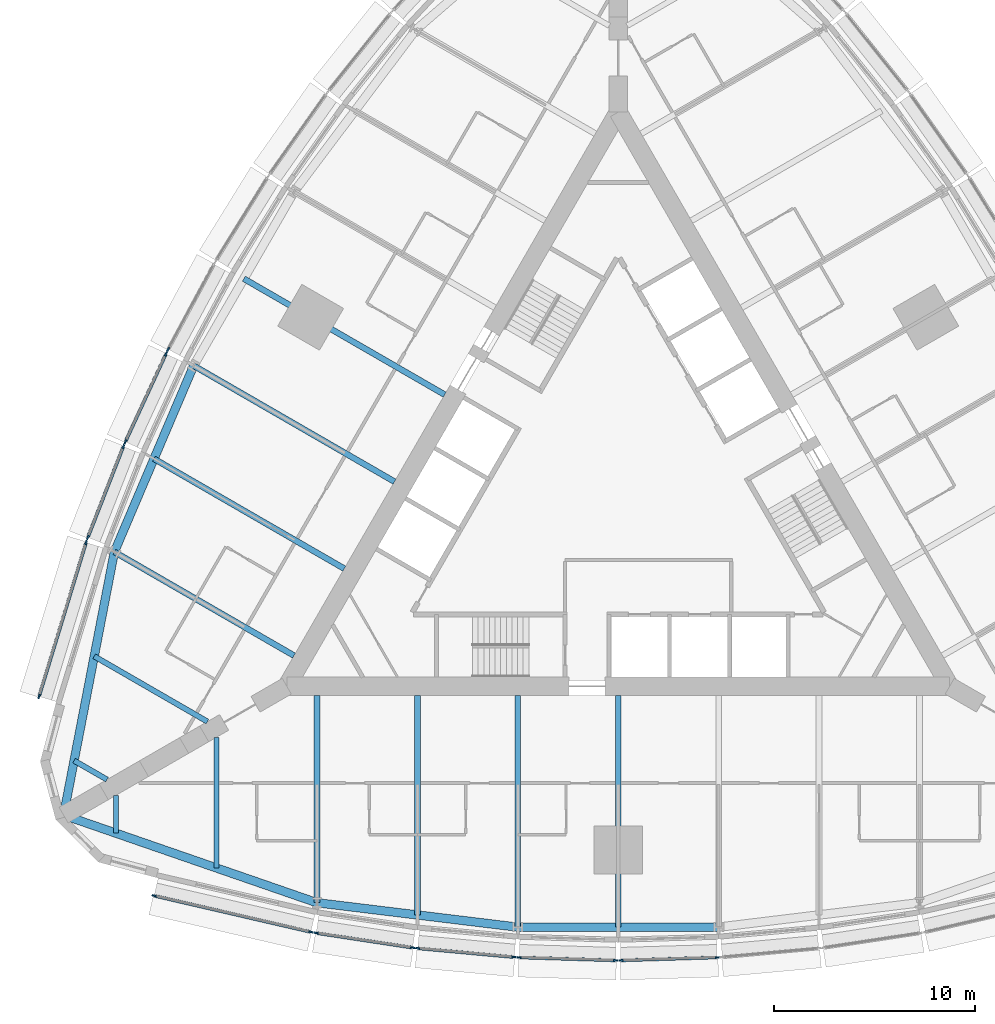
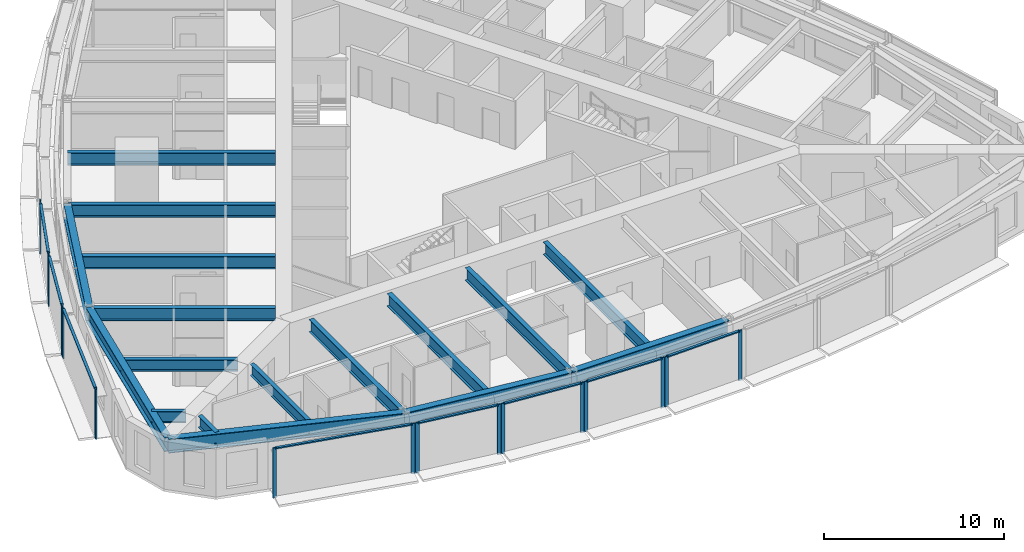
# One storey, part 2 of 14: 25 members, 17 beams, 9 elements without a shape of their own.
"""IFC4 building model written with IfcOpenShell, lengths in metres."""

from ifc_helpers import new_model, si_unit, direction, frame, origin, origin_2d, place, context, subcontext, project, spatial, rectangle, i_section, extrude, material, material_profile, profile_set, type_object, element, aggregate, save


model = new_model("IFC4")

# Units and contexts
model_context = context("Model", 3, precision=1e-05, world=origin(), true_north=direction((0.0, 1.0)))
body_context = subcontext(model_context, "Body", "Model", "MODEL_VIEW")
ifc_project = project(units=[si_unit("LENGTHUNIT", "METRE"), si_unit("AREAUNIT", "SQUARE_METRE"), si_unit("VOLUMEUNIT", "CUBIC_METRE"), si_unit("PLANEANGLEUNIT", "RADIAN"), si_unit("MASSUNIT", "GRAM", prefix="KILO")], contexts=[model_context])

# Site, building, storey
site_placement = place(None, origin())
site = spatial("IfcSite", under=ifc_project, at=site_placement, CompositionType="ELEMENT")
building_placement = place(site_placement, origin())
building = spatial("IfcBuilding", under=site, at=building_placement, Name="Trikona Tower", CompositionType="ELEMENT")
storey_placement = place(building_placement, frame((0.0, 0.0, 59.10009765625)))
storey = spatial("IfcBuildingStorey", under=building, at=storey_placement, Name="L14", CompositionType="ELEMENT", Elevation=59.10009765625)

# Curtain wall, members
ifc_material_1 = material(Name="Aluminium curtain wall system", Category="aluminium")
curtain_wall_type = type_object("IfcCurtainWallType", Name="Curtain wall DS1", PredefinedType="NOTDEFINED", material=ifc_material_1)
curtain_wall_1_placement = place(storey_placement, origin())
curtain_wall_1 = element("IfcCurtainWall", 1, at=curtain_wall_1_placement, inside=storey, type_object=curtain_wall_type, Name="Curtain wall DS1 L14", PredefinedType="NOTDEFINED")
ifc_material_2 = material(Name="Aluminium mullion, pale anodised", Category="aluminium")
ifc_material_profile_1 = material_profile(ifc_material_2, rectangle(XDim=0.080078125, YDim=0.219970703125, at=origin_2d()), Name="MUL-DS1")
ifc_profile_set_1 = profile_set([ifc_material_profile_1], Name="Aluminium mullion, pale anodised")
member_type_1 = type_object("IfcMemberType", Name="Mullion DS1 80x220", PredefinedType="MULLION", material=ifc_profile_set_1)
member_1_placement = place(storey_placement, frame((-23.10546875, -19.951904296875, 0.0), z_axis=(0.0, 0.0, 1.0), x_axis=(0.225343288756, 0.974279427173, 0.0)))
member_1 = element("IfcMember", 2, at=member_1_placement, type_object=member_type_1, Name="CW-DS1 mullion 1", PredefinedType="MULLION", context=body_context, shape_type="SweptSolid", body=[
    extrude(rectangle(XDim=0.080078125, YDim=0.219970703125, at=origin_2d()), origin(), (0.0, 0.0, 1.0), 3.39990234375),
])
member_2_placement = place(storey_placement, frame((-15.30029296875, -21.75732421875, 0.0), z_axis=(0.0, 0.0, 1.0), x_axis=(0.225343288756, 0.974279427173, 0.0)))
member_2 = element("IfcMember", 3, at=member_2_placement, type_object=member_type_1, Name="CW-DS1 mullion 2", PredefinedType="MULLION", context=body_context, shape_type="SweptSolid", body=[
    extrude(rectangle(XDim=0.080078125, YDim=0.219970703125, at=origin_2d()), origin(), (0.0, 0.0, 1.0), 3.39990234375),
])

curtain_wall_2_placement = place(storey_placement, origin())
curtain_wall_2 = element("IfcCurtainWall", 4, at=curtain_wall_2_placement, inside=storey, type_object=curtain_wall_type, Name="Curtain wall DS1 L14", PredefinedType="NOTDEFINED")
member_3_placement = place(storey_placement, frame((-15.03662109375, -21.807861328125, 0.0), z_axis=(0.0, 0.0, 1.0), x_axis=(0.150437693845, 0.988619492156, 0.0)))
member_3 = element("IfcMember", 5, at=member_3_placement, type_object=member_type_1, Name="CW-DS1 mullion 1", PredefinedType="MULLION", context=body_context, shape_type="SweptSolid", body=[
    extrude(rectangle(XDim=0.080078125, YDim=0.219970703125, at=origin_2d()), origin(), (0.0, 0.0, 1.0), 3.39990234375),
])
member_4_placement = place(storey_placement, frame((-10.234130859375, -22.53857421875, 0.0), z_axis=(0.0, 0.0, 1.0), x_axis=(0.150437693845, 0.988619492156, 0.0)))
member_4 = element("IfcMember", 6, at=member_4_placement, type_object=member_type_1, Name="CW-DS1 mullion 2", PredefinedType="MULLION", context=body_context, shape_type="SweptSolid", body=[
    extrude(rectangle(XDim=0.080078125, YDim=0.219970703125, at=origin_2d()), origin(), (0.0, 0.0, 1.0), 3.39990234375),
])

curtain_wall_3_placement = place(storey_placement, origin())
curtain_wall_3 = element("IfcCurtainWall", 7, at=curtain_wall_3_placement, inside=storey, type_object=curtain_wall_type, Name="Curtain wall DS1 L14", PredefinedType="NOTDEFINED")
member_5_placement = place(storey_placement, frame((-9.982177734375, -22.5693359375, 0.0), z_axis=(0.0, 0.0, 1.0), x_axis=(0.090923932737, 0.995857840485, 0.0)))
member_5 = element("IfcMember", 8, at=member_5_placement, type_object=member_type_1, Name="CW-DS1 mullion 1", PredefinedType="MULLION", context=body_context, shape_type="SweptSolid", body=[
    extrude(rectangle(XDim=0.080078125, YDim=0.219970703125, at=origin_2d()), origin(), (0.0, 0.0, 1.0), 3.39990234375),
])
member_6_placement = place(storey_placement, frame((-5.181396484375, -23.007568359375, 0.0), z_axis=(0.0, 0.0, 1.0), x_axis=(0.090923932737, 0.995857840485, 0.0)))
member_6 = element("IfcMember", 9, at=member_6_placement, type_object=member_type_1, Name="CW-DS1 mullion 2", PredefinedType="MULLION", context=body_context, shape_type="SweptSolid", body=[
    extrude(rectangle(XDim=0.080078125, YDim=0.219970703125, at=origin_2d()), origin(), (0.0, 0.0, 1.0), 3.39990234375),
])

curtain_wall_4_placement = place(storey_placement, origin())
curtain_wall_4 = element("IfcCurtainWall", 10, at=curtain_wall_4_placement, inside=storey, type_object=curtain_wall_type, Name="Curtain wall DS1 L14", PredefinedType="NOTDEFINED")
member_7_placement = place(storey_placement, frame((-4.927490234375, -23.02294921875, 0.0), z_axis=(0.0, 0.0, 1.0), x_axis=(0.030436711692, 0.999536695965, 0.0)))
member_7 = element("IfcMember", 11, at=member_7_placement, type_object=member_type_1, Name="CW-DS1 mullion 1", PredefinedType="MULLION", context=body_context, shape_type="SweptSolid", body=[
    extrude(rectangle(XDim=0.080078125, YDim=0.219970703125, at=origin_2d()), origin(), (0.0, 0.0, 1.0), 3.39990234375),
])
member_8_placement = place(storey_placement, frame((-0.12744140625, -23.169189453125, 0.0), z_axis=(0.0, 0.0, 1.0), x_axis=(0.030436711692, 0.999536695965, 0.0)))
member_8 = element("IfcMember", 12, at=member_8_placement, type_object=member_type_1, Name="CW-DS1 mullion 2", PredefinedType="MULLION", context=body_context, shape_type="SweptSolid", body=[
    extrude(rectangle(XDim=0.080078125, YDim=0.219970703125, at=origin_2d()), origin(), (0.0, 0.0, 1.0), 3.39990234375),
])

curtain_wall_5_placement = place(storey_placement, origin())
curtain_wall_5 = element("IfcCurtainWall", 13, at=curtain_wall_5_placement, inside=storey, type_object=curtain_wall_type, Name="Curtain wall DS1 L14", PredefinedType="NOTDEFINED")
member_9_placement = place(storey_placement, frame((0.12744140625, -23.169189453125, 0.0), z_axis=(0.0, 0.0, 1.0), x_axis=(-0.030436711692, 0.999536695965, 0.0)))
member_9 = element("IfcMember", 14, at=member_9_placement, type_object=member_type_1, Name="CW-DS1 mullion 1", PredefinedType="MULLION", context=body_context, shape_type="SweptSolid", body=[
    extrude(rectangle(XDim=0.080078125, YDim=0.219970703125, at=origin_2d()), origin(), (0.0, 0.0, 1.0), 3.39990234375),
])
member_10_placement = place(storey_placement, frame((4.927490234375, -23.02294921875, 0.0), z_axis=(0.0, 0.0, 1.0), x_axis=(-0.030436711692, 0.999536695965, 0.0)))
member_10 = element("IfcMember", 15, at=member_10_placement, type_object=member_type_1, Name="CW-DS1 mullion 2", PredefinedType="MULLION", context=body_context, shape_type="SweptSolid", body=[
    extrude(rectangle(XDim=0.080078125, YDim=0.219970703125, at=origin_2d()), origin(), (0.0, 0.0, 1.0), 3.39990234375),
])

# Curtain wall, member
curtain_wall_6_placement = place(storey_placement, origin())
curtain_wall_6 = element("IfcCurtainWall", 16, at=curtain_wall_6_placement, inside=storey, type_object=curtain_wall_type, Name="Curtain wall DS1 L14", PredefinedType="NOTDEFINED")
member_11_placement = place(storey_placement, frame((-22.402099609375, 7.244140625, 0.0), z_axis=(0.0, 0.0, 1.0), x_axis=(0.880843080975, -0.473408350896, 0.0)))
member_11 = element("IfcMember", 17, at=member_11_placement, type_object=member_type_1, Name="CW-DS1 mullion 2", PredefinedType="MULLION", context=body_context, shape_type="SweptSolid", body=[
    extrude(rectangle(XDim=0.080078125, YDim=0.219970703125, at=origin_2d()), origin(), (0.0, 0.0, 1.0), 3.39990234375),
])
aggregate(curtain_wall_6, [member_11])

# Curtain wall, members
curtain_wall_7_placement = place(storey_placement, origin())
curtain_wall_7 = element("IfcCurtainWall", 18, at=curtain_wall_7_placement, inside=storey, type_object=curtain_wall_type, Name="Curtain wall DS1 L14", PredefinedType="NOTDEFINED")
member_12_placement = place(storey_placement, frame((-22.515869140625, 7.0166015625, 0.0), z_axis=(0.0, 0.0, 1.0), x_axis=(0.907898459992, -0.419190155352, 0.0)))
member_12 = element("IfcMember", 19, at=member_12_placement, type_object=member_type_1, Name="CW-DS1 mullion 1", PredefinedType="MULLION", context=body_context, shape_type="SweptSolid", body=[
    extrude(rectangle(XDim=0.080078125, YDim=0.219970703125, at=origin_2d()), origin(), (0.0, 0.0, 1.0), 3.39990234375),
])
member_13_placement = place(storey_placement, frame((-24.53662109375, 2.6396484375, 0.0), z_axis=(0.0, 0.0, 1.0), x_axis=(0.907898459992, -0.419190155352, 0.0)))
member_13 = element("IfcMember", 20, at=member_13_placement, type_object=member_type_1, Name="CW-DS1 mullion 2", PredefinedType="MULLION", context=body_context, shape_type="SweptSolid", body=[
    extrude(rectangle(XDim=0.080078125, YDim=0.219970703125, at=origin_2d()), origin(), (0.0, 0.0, 1.0), 3.39990234375),
])

curtain_wall_8_placement = place(storey_placement, origin())
curtain_wall_8 = element("IfcCurtainWall", 21, at=curtain_wall_8_placement, inside=storey, type_object=curtain_wall_type, Name="Curtain wall DS1 L14", PredefinedType="NOTDEFINED")
member_14_placement = place(storey_placement, frame((-24.63623046875, 2.40625, 0.0), z_axis=(0.0, 0.0, 1.0), x_axis=(0.931395989443, -0.36400756977, 0.0)))
member_14 = element("IfcMember", 22, at=member_14_placement, type_object=member_type_1, Name="CW-DS1 mullion 1", PredefinedType="MULLION", context=body_context, shape_type="SweptSolid", body=[
    extrude(rectangle(XDim=0.080078125, YDim=0.219970703125, at=origin_2d()), origin(), (0.0, 0.0, 1.0), 3.39990234375),
])
member_15_placement = place(storey_placement, frame((-26.404296875, -2.1181640625, 0.0), z_axis=(0.0, 0.0, 1.0), x_axis=(0.931395989443, -0.36400756977, 0.0)))
member_15 = element("IfcMember", 23, at=member_15_placement, type_object=member_type_1, Name="CW-DS1 mullion 2", PredefinedType="MULLION", context=body_context, shape_type="SweptSolid", body=[
    extrude(rectangle(XDim=0.080078125, YDim=0.219970703125, at=origin_2d()), origin(), (0.0, 0.0, 1.0), 3.39990234375),
])

curtain_wall_9_placement = place(storey_placement, origin())
curtain_wall_9 = element("IfcCurtainWall", 24, at=curtain_wall_9_placement, inside=storey, type_object=curtain_wall_type, Name="Curtain wall DS1 L14", PredefinedType="NOTDEFINED")
member_16_placement = place(storey_placement, frame((-26.492431640625, -2.371826171875, 0.0), z_axis=(0.0, 0.0, 1.0), x_axis=(0.956423115383, -0.291984287868, 0.0)))
member_16 = element("IfcMember", 25, at=member_16_placement, type_object=member_type_1, Name="CW-DS1 mullion 1", PredefinedType="MULLION", context=body_context, shape_type="SweptSolid", body=[
    extrude(rectangle(XDim=0.080078125, YDim=0.219970703125, at=origin_2d()), origin(), (0.0, 0.0, 1.0), 3.39990234375),
])
member_17_placement = place(storey_placement, frame((-28.83154296875, -10.033935546875, 0.0), z_axis=(0.0, 0.0, 1.0), x_axis=(0.956423115383, -0.291984287868, 0.0)))
member_17 = element("IfcMember", 26, at=member_17_placement, type_object=member_type_1, Name="CW-DS1 mullion 2", PredefinedType="MULLION", context=body_context, shape_type="SweptSolid", body=[
    extrude(rectangle(XDim=0.080078125, YDim=0.219970703125, at=origin_2d()), origin(), (0.0, 0.0, 1.0), 3.39990234375),
])

# Beams
ifc_material_3 = material(Name="Steel ASTM A992 Grade 50", Category="steel")
ifc_material_profile_2 = material_profile(ifc_material_3, i_section(OverallWidth=0.2666015625, OverallDepth=0.76953125, WebThickness=0.015625, FlangeThickness=0.025390625, at=origin_2d()), Name="W30X132")
ifc_profile_set_2 = profile_set([ifc_material_profile_2], Name="Steel ASTM A992 Grade 50")
beam_type_1 = type_object("IfcBeamType", Name="Steel beam W30x132 (wedge)", PredefinedType="BEAM", material=ifc_profile_set_2)
beam_1_placement = place(storey_placement, frame((-25.0, -14.953369140625, 2.85009765625), z_axis=(0.0, -1.0, 0.0), x_axis=(1.0, 0.0, 0.0)))
element("IfcBeam", 27, at=beam_1_placement, inside=storey, type_object=beam_type_1, Name="Floor beam L15 F1 u-25", PredefinedType="BEAM", context=body_context, shape_type="SweptSolid", body=[
    extrude(i_section(OverallWidth=0.2666015625, OverallDepth=0.76953125, WebThickness=0.015625, FlangeThickness=0.025390625, at=origin_2d()), origin(), (0.0, 0.0, 1.0), 1.890380859375),
])
for number, where, z_axis, x_axis, name in (
    (28, (-20.0, -12.066650390625, 2.85009765625), (0.0, -1.0, 0.0), (1.0, 0.0, 0.0), "Floor beam L15 F1 u-20"),
    (29, (-20.449951171875, -11.287109375, 2.85009765625), (-0.866022504693, 0.50000502134, 0.0), (-0.50000502134, -0.866022504693, 0.0), "Floor beam L15 F3 u20"),
):
    element("IfcBeam", number, at=place(storey_placement, frame(where, z_axis=z_axis, x_axis=x_axis)), inside=storey, type_object=beam_type_1, Name=name, PredefinedType="BEAM", context=body_context, shape_type="SweptSolid", body=[
        extrude(i_section(OverallWidth=0.2666015625, OverallDepth=0.76953125, WebThickness=0.015625, FlangeThickness=0.025390625, at=origin_2d()), origin(), (0.0, 0.0, 1.0), 6.5068359375),
    ])
beam_2_placement = place(storey_placement, frame((-25.449951171875, -14.173828125, 2.85009765625), z_axis=(-0.866065156741, 0.499931139538, 0.0), x_axis=(-0.499931139538, -0.866065156741, 0.0)))
element("IfcBeam", 30, at=beam_2_placement, inside=storey, type_object=beam_type_1, Name="Floor beam L15 F3 u25", PredefinedType="BEAM", context=body_context, shape_type="SweptSolid", body=[
    extrude(i_section(OverallWidth=0.2666015625, OverallDepth=0.76953125, WebThickness=0.015625, FlangeThickness=0.025390625, at=origin_2d()), origin(), (0.0, 0.0, 1.0), 1.890380859375),
])
ifc_material_4 = material(Name="Steel ASTM A992 Grade 50", Category="steel")
ifc_material_profile_3 = material_profile(ifc_material_4, i_section(OverallWidth=0.2919921875, OverallDepth=0.845703125, WebThickness=0.015380859375, FlangeThickness=0.0244140625, at=origin_2d()), Name="W33X141")
ifc_profile_set_3 = profile_set([ifc_material_profile_3], Name="Steel ASTM A992 Grade 50")
beam_type_2 = type_object("IfcBeamType", Name="Steel beam W33x141 (radial typ)", PredefinedType="BEAM", material=ifc_profile_set_3)
beam_3_placement = place(storey_placement, frame((-15.0, -9.976318359375, 2.81201171875), z_axis=(0.0, -1.0, 0.0), x_axis=(1.0, 0.0, 0.0)))
element("IfcBeam", 31, at=beam_3_placement, inside=storey, type_object=beam_type_2, Name="Floor beam L15 F1 u-15", PredefinedType="BEAM", context=body_context, shape_type="SweptSolid", body=[
    extrude(i_section(OverallWidth=0.2919921875, OverallDepth=0.845703125, WebThickness=0.015380859375, FlangeThickness=0.0244140625, at=origin_2d()), origin(), (0.0, 0.0, 1.0), 10.32666015625),
])
beam_4_placement = place(storey_placement, frame((-10.0, -9.976318359375, 2.81201171875), z_axis=(0.0, -1.0, 0.0), x_axis=(1.0, 0.0, 0.0)))
element("IfcBeam", 32, at=beam_4_placement, inside=storey, type_object=beam_type_2, Name="Floor beam L15 F1 u-10", PredefinedType="BEAM", context=body_context, shape_type="SweptSolid", body=[
    extrude(i_section(OverallWidth=0.2919921875, OverallDepth=0.845703125, WebThickness=0.015380859375, FlangeThickness=0.0244140625, at=origin_2d()), origin(), (0.0, 0.0, 1.0), 10.935302734375),
])
for number, where, z_axis, x_axis, name in (
    (33, (-5.0, -9.976318359375, 2.81201171875), (0.0, -1.0, 0.0), (1.0, 0.0, 0.0), "Floor beam L15 F1 u-5"),
    (34, (0.0, -9.976318359375, 2.81201171875), (0.0, -1.0, 0.0), (1.0, 0.0, 0.0), "Floor beam L15 F1 u0"),
    (35, (-8.6396484375, 4.988037109375, 2.81201171875), (-0.866020765707, 0.500008033299, 0.0), (-0.500008033299, -0.866020765707, 0.0), "Floor beam L15 F3 u0"),
    (36, (-11.1396484375, 0.657958984375, 2.81201171875), (-0.866020765707, 0.500008033299, 0.0), (-0.500008033299, -0.866020765707, 0.0), "Floor beam L15 F3 u5"),
):
    element("IfcBeam", number, at=place(storey_placement, frame(where, z_axis=z_axis, x_axis=x_axis)), inside=storey, type_object=beam_type_2, Name=name, PredefinedType="BEAM", context=body_context, shape_type="SweptSolid", body=[
        extrude(i_section(OverallWidth=0.2919921875, OverallDepth=0.845703125, WebThickness=0.015380859375, FlangeThickness=0.0244140625, at=origin_2d()), origin(), (0.0, 0.0, 1.0), 11.544189453125),
    ])
beam_5_placement = place(storey_placement, frame((-13.6396484375, -3.672119140625, 2.81201171875), z_axis=(-0.866025348605, 0.500000095573, 0.0), x_axis=(-0.500000095573, -0.866025348605, 0.0)))
element("IfcBeam", 37, at=beam_5_placement, inside=storey, type_object=beam_type_2, Name="Floor beam L15 F3 u10", PredefinedType="BEAM", context=body_context, shape_type="SweptSolid", body=[
    extrude(i_section(OverallWidth=0.2919921875, OverallDepth=0.845703125, WebThickness=0.015380859375, FlangeThickness=0.0244140625, at=origin_2d()), origin(), (0.0, 0.0, 1.0), 10.935546875),
])
beam_6_placement = place(storey_placement, frame((-16.1396484375, -8.002197265625, 2.81201171875), z_axis=(-0.866030471684, 0.499991222037, 0.0), x_axis=(-0.499991222037, -0.866030471684, 0.0)))
element("IfcBeam", 38, at=beam_6_placement, inside=storey, type_object=beam_type_2, Name="Floor beam L15 F3 u15", PredefinedType="BEAM", context=body_context, shape_type="SweptSolid", body=[
    extrude(i_section(OverallWidth=0.2919921875, OverallDepth=0.845703125, WebThickness=0.015380859375, FlangeThickness=0.0244140625, at=origin_2d()), origin(), (0.0, 0.0, 1.0), 10.326904296875),
])
ifc_material_5 = material(Name="Steel ASTM A992 Grade 50", Category="steel")
ifc_material_profile_4 = material_profile(ifc_material_5, i_section(OverallWidth=0.424072265625, OverallDepth=0.947509765625, WebThickness=0.02392578125, FlangeThickness=0.042724609375, at=origin_2d()), Name="W36X302")
ifc_profile_set_4 = profile_set([ifc_material_profile_4], Name="Steel ASTM A992 Grade 50")
beam_type_3 = type_object("IfcBeamType", Name="Steel beam W36x302 (spandrel)", PredefinedType="SPANDREL", material=ifc_profile_set_4)
beam_7_placement = place(storey_placement, frame((-27.6103515625, -15.94091796875, 2.76123046875), z_axis=(0.945056965739, -0.326905692071, 0.0), x_axis=(0.326905692071, 0.945056965739, 0.0)))
element("IfcBeam", 39, at=beam_7_placement, inside=storey, type_object=beam_type_3, Name="Spandrel beam L15 F1-1", PredefinedType="SPANDREL", context=body_context, shape_type="SweptSolid", body=[
    extrude(i_section(OverallWidth=0.424072265625, OverallDepth=0.947509765625, WebThickness=0.02392578125, FlangeThickness=0.042724609375, at=origin_2d()), origin(), (0.0, 0.0, 1.0), 13.343505859375),
])
beam_8_placement = place(storey_placement, frame((-15.0, -20.302978515625, 2.76123046875), z_axis=(0.99266951126, -0.120860421207, 0.0), x_axis=(0.120860421207, 0.99266951126, 0.0)))
element("IfcBeam", 40, at=beam_8_placement, inside=storey, type_object=beam_type_3, Name="Spandrel beam L15 F1-2", PredefinedType="SPANDREL", context=body_context, shape_type="SweptSolid", body=[
    extrude(i_section(OverallWidth=0.424072265625, OverallDepth=0.947509765625, WebThickness=0.02392578125, FlangeThickness=0.042724609375, at=origin_2d()), origin(), (0.0, 0.0, 1.0), 10.07373046875),
])
beam_9_placement = place(storey_placement, frame((-5.0, -21.5205078125, 2.76123046875), z_axis=(1.0, 0.0, 0.0), x_axis=(0.0, 1.0, 0.0)))
element("IfcBeam", 41, at=beam_9_placement, inside=storey, type_object=beam_type_3, Name="Spandrel beam L15 F1-3", PredefinedType="SPANDREL", context=body_context, shape_type="SweptSolid", body=[
    extrude(i_section(OverallWidth=0.424072265625, OverallDepth=0.947509765625, WebThickness=0.02392578125, FlangeThickness=0.042724609375, at=origin_2d()), origin(), (0.0, 0.0, 1.0), 10.0),
])
beam_10_placement = place(storey_placement, frame((-21.13720703125, 6.43017578125, 2.76123046875), z_axis=(-0.391683514847, -0.920100007715, 0.0), x_axis=(0.920100007715, -0.391683514847, 0.0)))
element("IfcBeam", 42, at=beam_10_placement, inside=storey, type_object=beam_type_3, Name="Spandrel beam L15 F3-4", PredefinedType="SPANDREL", context=body_context, shape_type="SweptSolid", body=[
    extrude(i_section(OverallWidth=0.424072265625, OverallDepth=0.947509765625, WebThickness=0.02392578125, FlangeThickness=0.042724609375, at=origin_2d()), origin(), (0.0, 0.0, 1.0), 10.073974609375),
])
beam_11_placement = place(storey_placement, frame((-25.0830078125, -2.8388671875, 2.76123046875), z_axis=(-0.189405184036, -0.981899015307, 0.0), x_axis=(0.981899015307, -0.189405184036, 0.0)))
element("IfcBeam", 43, at=beam_11_placement, inside=storey, type_object=beam_type_3, Name="Spandrel beam L15 F3-5", PredefinedType="SPANDREL", context=body_context, shape_type="SweptSolid", body=[
    extrude(i_section(OverallWidth=0.424072265625, OverallDepth=0.947509765625, WebThickness=0.02392578125, FlangeThickness=0.042724609375, at=origin_2d()), origin(), (0.0, 0.0, 1.0), 13.343505859375),
])

# Member
ifc_material_6 = material(Name="Aluminium transom, pale anodised", Category="aluminium")
ifc_material_profile_5 = material_profile(ifc_material_6, rectangle(XDim=0.159912109375, YDim=0.080078125, at=origin_2d()), Name="TRN-DS1")
ifc_profile_set_5 = profile_set([ifc_material_profile_5], Name="Aluminium transom, pale anodised")
member_type_2 = type_object("IfcMemberType", Name="Transom DS1 80x160", PredefinedType="USERDEFINED", material=ifc_profile_set_5)
member_18_placement = place(storey_placement, frame((-23.06640625, -19.9609375, 3.35986328125), z_axis=(0.974275371842, -0.225360821398, 0.0), x_axis=(0.225360821398, 0.974275371842, 0.0)))
member_18 = element("IfcMember", 44, at=member_18_placement, type_object=member_type_2, Name="CW-DS1 transom 1.1", ObjectType="TRANSOM", PredefinedType="USERDEFINED", context=body_context, shape_type="SweptSolid", body=[
    extrude(rectangle(XDim=0.159912109375, YDim=0.080078125, at=origin_2d()), origin(), (0.0, 0.0, 1.0), 7.93115234375),
])

aggregate(curtain_wall_1, [member_1, member_2, member_18])

member_19_placement = place(storey_placement, frame((-14.9970703125, -21.813720703125, 3.35986328125), z_axis=(0.988619663412, -0.150436568413, 0.0), x_axis=(0.150436568413, 0.988619663412, 0.0)))
member_19 = element("IfcMember", 45, at=member_19_placement, type_object=member_type_2, Name="CW-DS1 transom 1.1", ObjectType="TRANSOM", PredefinedType="USERDEFINED", context=body_context, shape_type="SweptSolid", body=[
    extrude(rectangle(XDim=0.159912109375, YDim=0.080078125, at=origin_2d()), origin(), (0.0, 0.0, 1.0), 4.77783203125),
])

aggregate(curtain_wall_2, [member_3, member_4, member_19])

member_20_placement = place(storey_placement, frame((-9.9423828125, -22.57275390625, 3.35986328125), z_axis=(0.995855977008, -0.090944340438, 0.0), x_axis=(0.090944340438, 0.995855977008, 0.0)))
member_20 = element("IfcMember", 46, at=member_20_placement, type_object=member_type_2, Name="CW-DS1 transom 1.1", ObjectType="TRANSOM", PredefinedType="USERDEFINED", context=body_context, shape_type="SweptSolid", body=[
    extrude(rectangle(XDim=0.159912109375, YDim=0.080078125, at=origin_2d()), origin(), (0.0, 0.0, 1.0), 4.74072265625),
])

aggregate(curtain_wall_3, [member_5, member_6, member_20])

member_21_placement = place(storey_placement, frame((-4.887451171875, -23.024169921875, 3.35986328125), z_axis=(0.999536232946, -0.030451913371, 0.0), x_axis=(0.030451913371, 0.999536232946, 0.0)))
member_21 = element("IfcMember", 47, at=member_21_placement, type_object=member_type_2, Name="CW-DS1 transom 1.1", ObjectType="TRANSOM", PredefinedType="USERDEFINED", context=body_context, shape_type="SweptSolid", body=[
    extrude(rectangle(XDim=0.159912109375, YDim=0.080078125, at=origin_2d()), origin(), (0.0, 0.0, 1.0), 4.72216796875),
])

aggregate(curtain_wall_4, [member_7, member_8, member_21])

member_22_placement = place(storey_placement, frame((0.16748046875, -23.16796875, 3.35986328125), z_axis=(0.999536232946, 0.030451913371, 0.0), x_axis=(-0.030451913371, 0.999536232946, 0.0)))
member_22 = element("IfcMember", 48, at=member_22_placement, type_object=member_type_2, Name="CW-DS1 transom 1.1", ObjectType="TRANSOM", PredefinedType="USERDEFINED", context=body_context, shape_type="SweptSolid", body=[
    extrude(rectangle(XDim=0.159912109375, YDim=0.080078125, at=origin_2d()), origin(), (0.0, 0.0, 1.0), 4.72216796875),
])

aggregate(curtain_wall_5, [member_9, member_10, member_22])

member_23_placement = place(storey_placement, frame((-22.53271484375, 6.980224609375, 3.35986328125), z_axis=(-0.419188800665, -0.90789908547, 0.0), x_axis=(0.90789908547, -0.419188800665, 0.0)))
member_23 = element("IfcMember", 49, at=member_23_placement, type_object=member_type_2, Name="CW-DS1 transom 1.1", ObjectType="TRANSOM", PredefinedType="USERDEFINED", context=body_context, shape_type="SweptSolid", body=[
    extrude(rectangle(XDim=0.159912109375, YDim=0.080078125, at=origin_2d()), origin(), (0.0, 0.0, 1.0), 4.74072265625),
])

aggregate(curtain_wall_7, [member_12, member_13, member_23])

member_24_placement = place(storey_placement, frame((-24.650634765625, 2.368896484375, 3.35986328125), z_axis=(-0.364048647668, -0.931379934362, 0.0), x_axis=(0.931379934362, -0.364048647668, 0.0)))
member_24 = element("IfcMember", 50, at=member_24_placement, type_object=member_type_2, Name="CW-DS1 transom 1.1", ObjectType="TRANSOM", PredefinedType="USERDEFINED", context=body_context, shape_type="SweptSolid", body=[
    extrude(rectangle(XDim=0.159912109375, YDim=0.080078125, at=origin_2d()), origin(), (0.0, 0.0, 1.0), 4.777587890625),
])

aggregate(curtain_wall_8, [member_14, member_15, member_24])

member_25_placement = place(storey_placement, frame((-26.504150390625, -2.409912109375, 3.35986328125), z_axis=(-0.291967490203, -0.956428243343, 0.0), x_axis=(0.956428243343, -0.291967490203, 0.0)))
member_25 = element("IfcMember", 51, at=member_25_placement, type_object=member_type_2, Name="CW-DS1 transom 1.1", ObjectType="TRANSOM", PredefinedType="USERDEFINED", context=body_context, shape_type="SweptSolid", body=[
    extrude(rectangle(XDim=0.159912109375, YDim=0.080078125, at=origin_2d()), origin(), (0.0, 0.0, 1.0), 7.93115234375),
])

aggregate(curtain_wall_9, [member_16, member_17, member_25])

save(model, "model.ifc")
